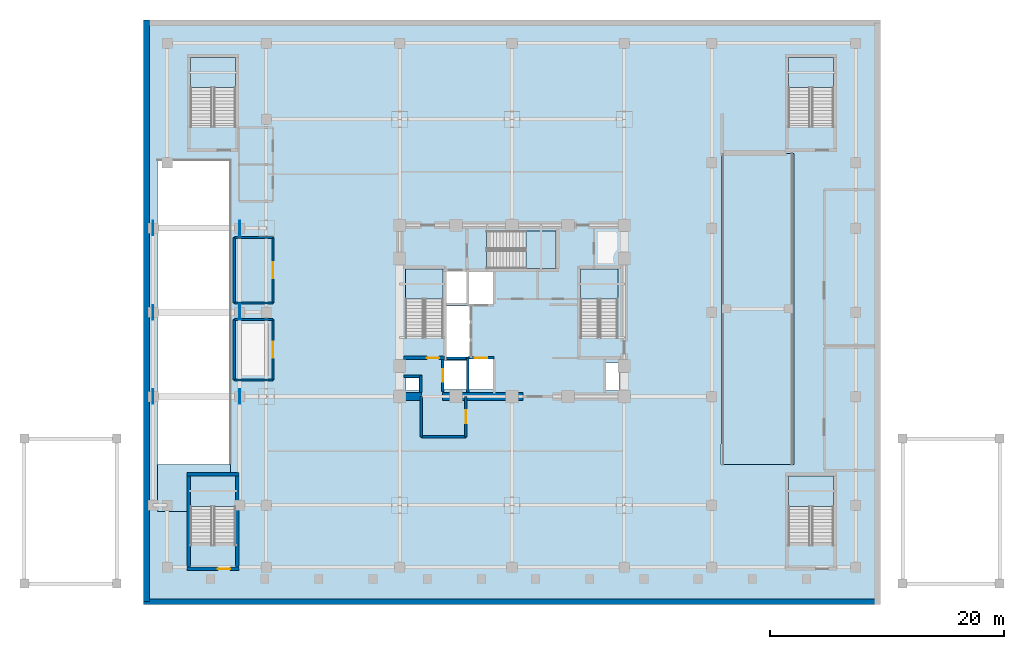
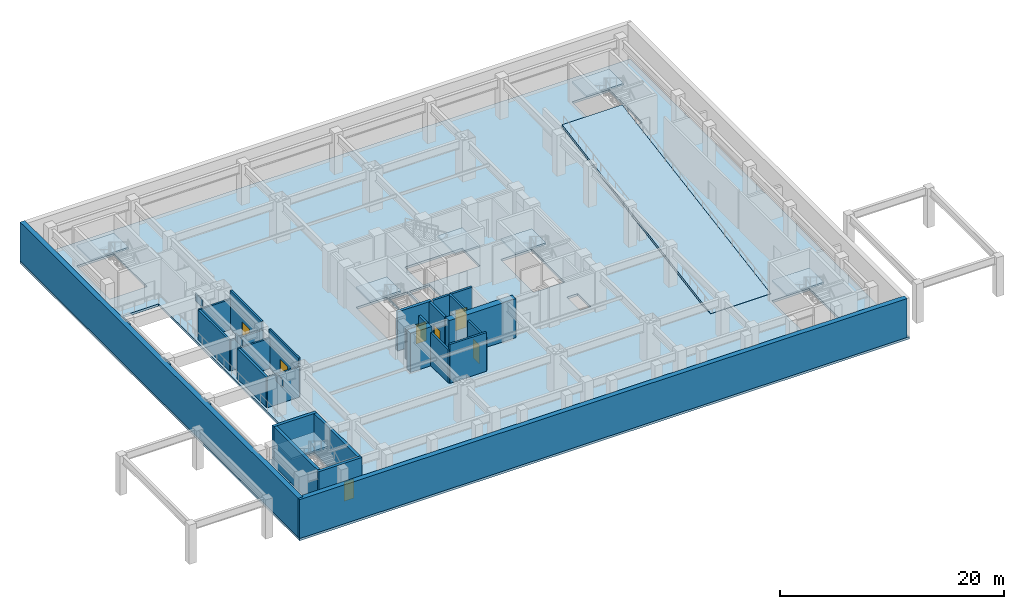
# One storey, part 3 of 12: 26 walls, 10 slabs, 7 doors, 6 plates, 7 openings, 7 elements without a shape of their own.
"""IFC4 building model written with IfcOpenShell, lengths in metres."""

from ifc_helpers import new_model, si_unit, direction, frame, frame_2d, origin, origin_2d, place, context, subcontext, project, spatial, polyline, rectangle, outline, extrude, material, layer, layer_set, type_object, element, fill, aggregate, save


model = new_model("IFC4")

# Units and contexts
model_context = context("Model", 3, precision=1e-05, world=origin(), true_north=direction((0.0, 1.0)))
body_context = subcontext(model_context, "Body", "Model", "MODEL_VIEW")
ifc_project = project(units=[si_unit("LENGTHUNIT", "METRE"), si_unit("AREAUNIT", "SQUARE_METRE"), si_unit("VOLUMEUNIT", "CUBIC_METRE"), si_unit("PLANEANGLEUNIT", "RADIAN"), si_unit("MASSUNIT", "GRAM", prefix="KILO")], contexts=[model_context])

# Site, building, storey
site_placement = place(None, origin())
site = spatial("IfcSite", under=ifc_project, at=site_placement, CompositionType="ELEMENT")
building_placement = place(site_placement, origin())
building = spatial("IfcBuilding", under=site, at=building_placement, Name="Vantalir Tower", CompositionType="ELEMENT")
storey_placement = place(building_placement, frame((0.0, 0.0, -4.5)))
storey = spatial("IfcBuildingStorey", under=building, at=storey_placement, Name="B01", CompositionType="ELEMENT", Elevation=-4.5)

# Plates
ifc_material_1 = material(Name="Steel S460", Category="steel")
ifc_layer_1 = layer(ifc_material_1, 0.050048828125)
ifc_layer_set_1 = layer_set([ifc_layer_1], Name="Steel S460")
plate_type = type_object("IfcPlateType", Name="PLT-TN-01", PredefinedType="USERDEFINED", material=ifc_layer_set_1)
for number, where, z_axis, x_axis, name in (
    (1, (0.784912109375, 17.800048828125, 3.23974609375), (0.0, 0.0, 1.0), (1.0, 0.0, 0.0), "B01 Transfer Girder End Cap 02S"),
    (2, (8.215087890625, 17.800048828125, 3.23974609375), (0.0, 0.0, 1.0), (1.0, 0.0, 0.0), "B01 Transfer Girder End Cap 02E"),
    (3, (0.784912109375, 25.0, 3.23974609375), (0.0, 0.0, 1.0), (1.0, 0.0, 0.0), "B01 Transfer Girder End Cap 03S"),
    (4, (8.215087890625, 25.0, 3.23974609375), (0.0, 0.0, 1.0), (1.0, 0.0, 0.0), "B01 Transfer Girder End Cap 03E"),
    (5, (0.784912109375, 32.199951171875, 3.23974609375), (0.0, 0.0, 1.0), (1.0, 0.0, 0.0), "B01 Transfer Girder End Cap 04S"),
    (6, (8.215087890625, 32.199951171875, 3.23974609375), (0.0, 0.0, 1.0), (1.0, 0.0, 0.0), "B01 Transfer Girder End Cap 04E"),
):
    element("IfcPlate", number, at=place(storey_placement, frame(where, z_axis=z_axis, x_axis=x_axis)), inside=storey, type_object=plate_type, Name=name, ObjectType="FLANGE_PLATE", PredefinedType="USERDEFINED", context=body_context, shape_type="SweptSolid", body=[
        extrude(rectangle(XDim=0.050048828125, YDim=1.25, at=origin_2d()), origin(), (0.0, 0.0, 1.0), 0.820068359375),
    ])

# Slabs
ifc_material_2 = material(Name="Concrete C50/60", Category="concrete")
ifc_layer_2 = layer(ifc_material_2, 0.25)
ifc_layer_set_2 = layer_set([ifc_layer_2], Name="Concrete C50/60")
slab_type_1 = type_object("IfcSlabType", Name="SL-BSMT-250", PredefinedType="FLOOR", material=ifc_layer_set_2)
slab_1_placement = place(storey_placement, frame((0.0, 0.0, -0.25)))
element("IfcSlab", 7, at=slab_1_placement, inside=storey, type_object=slab_type_1, Name="B01 Primary Structural Slab", PredefinedType="FLOOR", context=body_context, shape_type="SweptSolid", body=[
    extrude(outline(polyline([(63.0, 0.0), (63.0, 50.0), (0.0, 50.0), (0.0, 0.0), (63.0, 0.0)]), holes=[polyline([(22.39990234375, 22.7900390625), (22.39990234375, 28.699951171875), (25.60009765625, 28.699951171875), (25.60009765625, 22.7900390625), (22.39990234375, 22.7900390625)]), polyline([(37.35009765625, 28.699951171875), (40.550048828125, 28.699951171875), (40.550048828125, 22.7900390625), (37.35009765625, 22.7900390625), (37.35009765625, 28.699951171875)]), polyline([(35.25, 28.75), (29.340087890625, 28.75), (29.340087890625, 31.949951171875), (35.25, 31.949951171875), (35.25, 28.75)]), polyline([(7.85009765625, 40.85009765625), (4.0, 40.85009765625), (4.0, 46.800048828125), (7.85009765625, 46.800048828125), (7.85009765625, 40.85009765625)]), polyline([(55.14990234375, 40.85009765625), (55.14990234375, 46.800048828125), (59.0, 46.800048828125), (59.0, 40.85009765625), (55.14990234375, 40.85009765625)]), polyline([(7.39990234375, 11.0), (7.85009765625, 11.0), (7.85009765625, 5.050048828125), (4.0, 5.050048828125), (4.0, 8.0), (1.199951171875, 8.0), (1.199951171875, 38.0), (7.39990234375, 38.0), (7.39990234375, 11.0)]), polyline([(59.0, 11.0), (59.0, 5.050048828125), (55.14990234375, 5.050048828125), (55.14990234375, 11.0), (59.0, 11.0)]), polyline([(27.60009765625, 18.39990234375), (25.699951171875, 18.39990234375), (25.699951171875, 20.89990234375), (27.60009765625, 20.89990234375), (27.60009765625, 18.39990234375)]), polyline([(25.699951171875, 25.800048828125), (25.699951171875, 28.5), (27.60009765625, 28.5), (27.60009765625, 25.800048828125), (25.699951171875, 25.800048828125)]), polyline([(27.800048828125, 21.0), (29.89990234375, 21.0), (29.89990234375, 18.39990234375), (27.800048828125, 18.39990234375), (27.800048828125, 21.0)]), polyline([(29.89990234375, 28.5), (29.89990234375, 25.699951171875), (27.800048828125, 25.699951171875), (27.800048828125, 28.5), (29.89990234375, 28.5)]), polyline([(27.89990234375, 21.199951171875), (25.889892578125, 21.199951171875), (25.889892578125, 25.56005859375), (27.89990234375, 25.56005859375), (27.89990234375, 21.199951171875)]), polyline([(49.3798828125, 13.719970703125), (55.6201171875, 13.719970703125), (55.6201171875, 11.97998046875), (49.3798828125, 11.97998046875), (49.3798828125, 13.719970703125)]), polyline([(23.550048828125, 19.39990234375), (23.550048828125, 18.300048828125), (22.449951171875, 18.300048828125), (22.449951171875, 19.39990234375), (23.550048828125, 19.39990234375)]), polyline([(40.64990234375, 18.300048828125), (39.550048828125, 18.300048828125), (39.550048828125, 20.64990234375), (40.64990234375, 20.64990234375), (40.64990234375, 18.300048828125)])]), origin(), (0.0, 0.0, 1.0), 0.25),
])
slab_2_placement = place(storey_placement, frame((0.0, 0.0, -0.25)))
element("IfcSlab", 8, at=slab_2_placement, inside=storey, type_object=slab_type_1, Name="B01 Car Park Ramp VR2 Arrival Apron Slab", PredefinedType="FLOOR", context=body_context, shape_type="SweptSolid", body=[
    extrude(outline(polyline([(3.840087890625, 11.2900390625), (7.419921875, 11.2900390625), (7.419921875, 11.9951171875), (1.179931640625, 11.9951171875), (1.179931640625, 11.320068359375), (1.179931640625, 11.2900390625), (1.179931640625, 7.97998046875), (3.840087890625, 7.97998046875), (3.840087890625, 11.2900390625)])), origin(), (0.0, 0.0, 1.0), 0.25),
])

# Stair, slab
ifc_material_3 = material(Name="Concrete C40/50", Category="concrete")
stair_type_1 = type_object("IfcStairType", Name="STR-CORE-1450", PredefinedType="HALF_TURN_STAIR", material=ifc_material_3)
stair_1_placement = place(storey_placement, origin())
stair_1 = element("IfcStair", 9, at=stair_1_placement, inside=storey, type_object=stair_type_1, Name="B01 Core Exit Stair 1", PredefinedType="HALF_TURN_STAIR")
ifc_layer_3 = layer(ifc_material_3, 0.199951171875)
ifc_layer_set_3 = layer_set([ifc_layer_3], Name="Concrete C40/50")
slab_type_2 = type_object("IfcSlabType", Name="SL-LAND-200", PredefinedType="LANDING", material=ifc_layer_set_3)
slab_3_placement = place(storey_placement, frame((0.0, 0.0, 2.050048828125)))
slab_3 = element("IfcSlab", 10, at=slab_3_placement, type_object=slab_type_2, Name="ST1 landing 1", PredefinedType="LANDING", context=body_context, shape_type="SweptSolid", body=[
    extrude(outline(polyline([(25.60009765625, 26.14990234375), (25.60009765625, 28.699951171875), (22.39990234375, 28.699951171875), (22.39990234375, 26.14990234375), (25.60009765625, 26.14990234375)])), origin(), (0.0, 0.0, 1.0), 0.199951171875),
])
aggregate(stair_1, [slab_3])

stair_2_placement = place(storey_placement, origin())
stair_2 = element("IfcStair", 11, at=stair_2_placement, inside=storey, type_object=stair_type_1, Name="B01 Core Exit Stair 2", PredefinedType="HALF_TURN_STAIR")
slab_4_placement = place(storey_placement, frame((0.0, 0.0, 2.050048828125)))
slab_4 = element("IfcSlab", 12, at=slab_4_placement, type_object=slab_type_2, Name="ST2 landing 1", PredefinedType="LANDING", context=body_context, shape_type="SweptSolid", body=[
    extrude(outline(polyline([(40.550048828125, 26.14990234375), (40.550048828125, 28.699951171875), (37.35009765625, 28.699951171875), (37.35009765625, 26.14990234375), (40.550048828125, 26.14990234375)])), origin(), (0.0, 0.0, 1.0), 0.199951171875),
])
aggregate(stair_2, [slab_4])

stair_3_placement = place(storey_placement, origin())
stair_3 = element("IfcStair", 13, at=stair_3_placement, inside=storey, type_object=stair_type_1, Name="B01 Core Exit Stair 3", PredefinedType="HALF_TURN_STAIR")
slab_5_placement = place(storey_placement, frame((0.0, 0.0, 2.050048828125)))
slab_5 = element("IfcSlab", 14, at=slab_5_placement, type_object=slab_type_2, Name="ST3 landing 1", PredefinedType="LANDING", context=body_context, shape_type="SweptSolid", body=[
    extrude(outline(polyline([(32.699951171875, 28.75), (35.25, 28.75), (35.25, 31.949951171875), (32.699951171875, 31.949951171875), (32.699951171875, 28.75)])), origin(), (0.0, 0.0, 1.0), 0.199951171875),
])
aggregate(stair_3, [slab_5])

stair_type_2 = type_object("IfcStairType", Name="STR-POD-1550", PredefinedType="HALF_TURN_STAIR", material=ifc_material_3)
stair_4_placement = place(storey_placement, origin())
stair_4 = element("IfcStair", 15, at=stair_4_placement, inside=storey, type_object=stair_type_2, Name="B01 Podium Exit Stair 1", PredefinedType="HALF_TURN_STAIR")
slab_6_placement = place(storey_placement, frame((0.0, 0.0, 2.050048828125)))
slab_6 = element("IfcSlab", 16, at=slab_6_placement, type_object=slab_type_2, Name="PST1 landing 1", PredefinedType="LANDING", context=body_context, shape_type="SweptSolid", body=[
    extrude(outline(polyline([(7.85009765625, 44.2099609375), (7.85009765625, 46.800048828125), (4.0, 46.800048828125), (4.0, 44.2099609375), (7.85009765625, 44.2099609375)])), origin(), (0.0, 0.0, 1.0), 0.199951171875),
])
aggregate(stair_4, [slab_6])

stair_5_placement = place(storey_placement, origin())
stair_5 = element("IfcStair", 17, at=stair_5_placement, inside=storey, type_object=stair_type_2, Name="B01 Podium Exit Stair 2", PredefinedType="HALF_TURN_STAIR")
slab_7_placement = place(storey_placement, frame((0.0, 0.0, 2.050048828125)))
slab_7 = element("IfcSlab", 18, at=slab_7_placement, type_object=slab_type_2, Name="PST2 landing 1", PredefinedType="LANDING", context=body_context, shape_type="SweptSolid", body=[
    extrude(outline(polyline([(59.0, 44.2099609375), (59.0, 46.800048828125), (55.14990234375, 46.800048828125), (55.14990234375, 44.2099609375), (59.0, 44.2099609375)])), origin(), (0.0, 0.0, 1.0), 0.199951171875),
])
aggregate(stair_5, [slab_7])

stair_6_placement = place(storey_placement, origin())
stair_6 = element("IfcStair", 19, at=stair_6_placement, inside=storey, type_object=stair_type_2, Name="B01 Podium Exit Stair 3", PredefinedType="HALF_TURN_STAIR")
slab_8_placement = place(storey_placement, frame((0.0, 0.0, 2.050048828125)))
slab_8 = element("IfcSlab", 20, at=slab_8_placement, type_object=slab_type_2, Name="PST3 landing 1", PredefinedType="LANDING", context=body_context, shape_type="SweptSolid", body=[
    extrude(outline(polyline([(7.85009765625, 8.409912109375), (7.85009765625, 11.0), (4.0, 11.0), (4.0, 8.409912109375), (7.85009765625, 8.409912109375)])), origin(), (0.0, 0.0, 1.0), 0.199951171875),
])
aggregate(stair_6, [slab_8])

stair_7_placement = place(storey_placement, origin())
stair_7 = element("IfcStair", 21, at=stair_7_placement, inside=storey, type_object=stair_type_2, Name="B01 Podium Exit Stair 4", PredefinedType="HALF_TURN_STAIR")
slab_9_placement = place(storey_placement, frame((0.0, 0.0, 2.050048828125)))
slab_9 = element("IfcSlab", 22, at=slab_9_placement, type_object=slab_type_2, Name="PST4 landing 1", PredefinedType="LANDING", context=body_context, shape_type="SweptSolid", body=[
    extrude(outline(polyline([(59.0, 8.409912109375), (59.0, 11.0), (55.14990234375, 11.0), (55.14990234375, 8.409912109375), (59.0, 8.409912109375)])), origin(), (0.0, 0.0, 1.0), 0.199951171875),
])
aggregate(stair_7, [slab_9])

# Slab
ifc_layer_4 = layer(ifc_material_3, 0.280029296875)
ifc_layer_set_4 = layer_set([ifc_layer_4], Name="Concrete C40/50")
slab_type_3 = type_object("IfcSlabType", Name="SLB-VEHRAMP-280", PredefinedType="USERDEFINED", material=ifc_layer_set_4)
slab_10_placement = place(storey_placement, frame((52.5, 12.0009765625, 0.0), z_axis=(0.0, 0.0, 1.0), x_axis=(0.0, 1.0, 0.0)))
element("IfcSlab", 23, at=slab_10_placement, inside=storey, type_object=slab_type_3, Name="Car Park Vehicle Ramp Slab VR-1 B01 to L00", ObjectType="VEHICLE RAMP SLAB", PredefinedType="USERDEFINED", context=body_context, shape_type="SweptSolid", body=[
    extrude(outline(polyline([(0.0, -0.280029296875), (0.0, 0.0), (26.59814453125, 4.5), (26.59814453125, 4.219970703125), (0.0, -0.280029296875)])), frame((0.0, 3.10009765625, 0.0), z_axis=(0.0, -1.0, 0.0), x_axis=(1.0, 0.0, 0.0)), (0.0, 0.0, 1.0), 6.199951171875),
])

# Walls
ifc_layer_5 = layer(ifc_material_2, 0.5)
ifc_layer_set_5 = layer_set([ifc_layer_5], Name="Concrete C50/60")
wall_type_1 = type_object("IfcWallType", Name="WL-BSMT-500", PredefinedType="SOLIDWALL", material=ifc_layer_set_5)
wall_1_placement = place(storey_placement, frame((0.0, 0.25, 0.0), z_axis=(0.0, 0.0, 1.0), x_axis=(1.0, 0.0, 0.0)))
element("IfcWall", 24, at=wall_1_placement, inside=storey, type_object=wall_type_1, Name="B01 Perimeter Retaining Wall S", PredefinedType="SOLIDWALL", context=body_context, shape_type="SweptSolid", body=[
    extrude(rectangle(XDim=62.75, YDim=0.5, at=frame_2d((31.375, 0.0))), origin(), (0.0, 0.0, 1.0), 4.25),
])
wall_2_placement = place(storey_placement, frame((0.25, 50.0, 0.0), z_axis=(0.0, 0.0, 1.0), x_axis=(0.0, -1.0, 0.0)))
element("IfcWall", 25, at=wall_2_placement, inside=storey, type_object=wall_type_1, Name="B01 Perimeter Retaining Wall W", PredefinedType="SOLIDWALL", context=body_context, shape_type="SweptSolid", body=[
    extrude(rectangle(XDim=49.75, YDim=0.5, at=frame_2d((24.875, 0.0))), origin(), (0.0, 0.0, 1.0), 4.25),
])
ifc_material_4 = material(Name="Concrete C60/75", Category="concrete")
ifc_layer_6 = layer(ifc_material_4, 0.64990234375)
ifc_layer_set_6 = layer_set([ifc_layer_6], Name="Concrete C60/75")
wall_type_2 = type_object("IfcWallType", Name="WL-CORE-650", PredefinedType="SHEAR", material=ifc_layer_set_6)
wall_3_placement = place(storey_placement, frame((21.574951171875, 17.800048828125, 0.0), z_axis=(0.0, 0.0, 1.0), x_axis=(1.0, 0.0, 0.0)))
element("IfcWall", 26, at=wall_3_placement, inside=storey, type_object=wall_type_2, Name="B01 Core Shear Wall South-West", PredefinedType="SHEAR", context=body_context, shape_type="SweptSolid", body=[
    extrude(rectangle(XDim=2.175048828125, YDim=0.64990234375, at=frame_2d((1.08740234375, 0.0))), origin(), (0.0, 0.0, 1.0), 4.25),
])
wall_4_placement = place(storey_placement, frame((25.550048828125, 17.800048828125, 0.0), z_axis=(0.0, 0.0, 1.0), x_axis=(1.0, 0.0, 0.0)))
element("IfcWall", 27, at=wall_4_placement, inside=storey, type_object=wall_type_2, Name="B01 Core Shear Wall South-Mid", PredefinedType="SHEAR", context=body_context, shape_type="SweptSolid", body=[
    extrude(rectangle(XDim=6.89990234375, YDim=0.64990234375, at=frame_2d((3.449951171875, 0.0))), origin(), (0.0, 0.0, 1.0), 4.25),
])
ifc_material_5 = material(Name="Concrete blockwork with fireboard lining", Category="masonry")
ifc_layer_7 = layer(ifc_material_5, 0.219970703125)
ifc_layer_set_7 = layer_set([ifc_layer_7], Name="Concrete blockwork with fireboard lining")
wall_type_3 = type_object("IfcWallType", Name="WL-FFL-220", PredefinedType="PARTITIONING", material=ifc_layer_set_7)
wall_5_placement = place(storey_placement, frame((23.679931640625, 18.125, 0.0), z_axis=(0.0, 0.0, 1.0), x_axis=(0.0, 1.0, 0.0)))
element("IfcWall", 28, at=wall_5_placement, inside=storey, type_object=wall_type_3, Name="B01 West MEP Riser Wall E", PredefinedType="PARTITIONING", context=body_context, shape_type="SweptSolid", body=[
    extrude(rectangle(XDim=1.425048828125, YDim=0.219970703125, at=frame_2d((0.71240234375, 0.0))), origin(), (0.0, 0.0, 1.0), 4.22998046875),
])
wall_6_placement = place(storey_placement, frame((22.22509765625, 19.550048828125, 0.0), z_axis=(0.0, 0.0, 1.0), x_axis=(1.0, 0.0, 0.0)))
element("IfcWall", 29, at=wall_6_placement, inside=storey, type_object=wall_type_3, Name="B01 West MEP Riser Wall N", PredefinedType="PARTITIONING", context=body_context, shape_type="SweptSolid", body=[
    extrude(rectangle(XDim=1.56494140625, YDim=0.219970703125, at=frame_2d((0.782470703125, 0.0))), origin(), (0.0, 0.0, 1.0), 3.27490234375),
])

# Wall, opening, door
wall_7_placement = place(storey_placement, frame((25.590087890625, 18.219970703125, 0.0), z_axis=(0.0, 0.0, 1.0), x_axis=(0.0, 1.0, 0.0)))
wall_7 = element("IfcWall", 30, at=wall_7_placement, inside=storey, type_object=wall_type_3, Name="B01 Lift FL1 Shaft Front Wall", PredefinedType="PARTITIONING", context=body_context, shape_type="SweptSolid", body=[
    extrude(rectangle(XDim=2.760009765625, YDim=0.219970703125, at=frame_2d((1.3798828125, 0.0))), origin(), (0.0, 0.0, 1.0), 4.22998046875),
])
opening_1_placement = place(wall_7_placement, frame((0.830078125, 0.0, 0.0)))
opening_1 = element("IfcOpeningElement", 31, at=opening_1_placement, cuts=wall_7, Name="Opening LD-FL1", PredefinedType="OPENING", context=body_context, shape_type="SweptSolid", body=[
    extrude(rectangle(XDim=1.10009765625, YDim=2.199951171875, at=frame_2d((0.550048828125, 1.10009765625))), frame((0.0, 0.119873046875, 0.0), z_axis=(0.0, -1.0, 0.0), x_axis=(1.0, 0.0, 0.0)), (0.0, 0.0, 1.0), 0.239990234375),
])
ifc_material_6 = material(Name="Brushed stainless-steel sliding lift landing door", Category="steel")
door_type_1 = type_object("IfcDoorType", Name="DR-LIFT-LANDING-1100", OperationType="DOUBLE_DOOR_SLIDING", PredefinedType="DOOR", material=ifc_material_6)
door_1_placement = place(opening_1_placement, origin())
door_1 = element("IfcDoor", 32, at=door_1_placement, inside=storey, type_object=door_type_1, Name="B01 Lift Landing Door FL1", OperationType="DOUBLE_DOOR_SLIDING", OverallHeight=2.199951171875, OverallWidth=1.10009765625, PredefinedType="DOOR", context=body_context, shape_type="SweptSolid", body=[
    extrude(rectangle(XDim=1.10009765625, YDim=2.199951171875, at=frame_2d((0.550048828125, 1.10009765625))), frame((0.0, 0.02490234375, 0.0), z_axis=(0.0, -1.0, 0.0), x_axis=(1.0, 0.0, 0.0)), (0.0, 0.0, 1.0), 0.050048828125),
])
fill(opening_1, door_1)

wall_8_placement = place(storey_placement, frame((27.739990234375, 21.110107421875, 0.0), z_axis=(0.0, 0.0, 1.0), x_axis=(1.0, 0.0, 0.0)))
wall_8 = element("IfcWall", 33, at=wall_8_placement, inside=storey, type_object=wall_type_3, Name="B01 Lift SV1 Shaft Front Wall", PredefinedType="PARTITIONING", context=body_context, shape_type="SweptSolid", body=[
    extrude(rectangle(XDim=2.219970703125, YDim=0.219970703125, at=frame_2d((1.10986328125, 0.0))), origin(), (0.0, 0.0, 1.0), 4.22998046875),
])
opening_2_placement = place(wall_8_placement, frame((0.56005859375, 0.0, 0.0)))
opening_2 = element("IfcOpeningElement", 34, at=opening_2_placement, cuts=wall_8, Name="Opening LD-SV1", PredefinedType="OPENING", context=body_context, shape_type="SweptSolid", body=[
    extrude(rectangle(XDim=1.10009765625, YDim=2.199951171875, at=frame_2d((0.550048828125, 1.10009765625))), frame((0.0, 0.119873046875, 0.0), z_axis=(0.0, -1.0, 0.0), x_axis=(1.0, 0.0, 0.0)), (0.0, 0.0, 1.0), 0.239990234375),
])
door_2_placement = place(opening_2_placement, origin())
door_2 = element("IfcDoor", 35, at=door_2_placement, inside=storey, type_object=door_type_1, Name="B01 Lift Landing Door SV1", OperationType="DOUBLE_DOOR_SLIDING", OverallHeight=2.199951171875, OverallWidth=1.10009765625, PredefinedType="DOOR", context=body_context, shape_type="SweptSolid", body=[
    extrude(rectangle(XDim=1.10009765625, YDim=2.199951171875, at=frame_2d((0.550048828125, 1.10009765625))), frame((0.0, 0.02490234375, 0.0), z_axis=(0.0, -1.0, 0.0), x_axis=(1.0, 0.0, 0.0)), (0.0, 0.0, 1.0), 0.050048828125),
])
fill(opening_2, door_2)

# Walls
wall_9_placement = place(storey_placement, frame((27.699951171875, 18.14990234375, 0.0), z_axis=(0.0, 0.0, 1.0), x_axis=(0.0, 1.0, 0.0)))
element("IfcWall", 36, at=wall_9_placement, inside=storey, type_object=wall_type_3, Name="B01 Fire Lift FL1 Dividing Wall", PredefinedType="PARTITIONING", context=body_context, shape_type="SweptSolid", body=[
    extrude(rectangle(XDim=2.9501953125, YDim=0.219970703125, at=frame_2d((1.47509765625, 0.0))), origin(), (0.0, 0.0, 1.0), 4.22998046875),
])
wall_10_placement = place(storey_placement, frame((25.8798828125, 21.080078125, 0.0), z_axis=(0.0, 0.0, 1.0), x_axis=(1.0, 0.0, 0.0)))
element("IfcWall", 37, at=wall_10_placement, inside=storey, type_object=wall_type_3, Name="B01 Low-Rise Bank South Wall", PredefinedType="PARTITIONING", context=body_context, shape_type="SweptSolid", body=[
    extrude(rectangle(XDim=1.7001953125, YDim=0.219970703125, at=frame_2d((0.85009765625, 0.0))), origin(), (0.0, 0.0, 1.0), 4.22998046875),
])
wall_11_placement = place(storey_placement, frame((23.75, 14.35009765625, 0.0), z_axis=(0.0, 0.0, 1.0), x_axis=(0.0, 1.0, 0.0)))
element("IfcWall", 38, at=wall_11_placement, inside=storey, type_object=wall_type_3, Name="B01 Firefighting Lobby West Outer W", PredefinedType="PARTITIONING", context=body_context, shape_type="SweptSolid", body=[
    extrude(rectangle(XDim=3.449951171875, YDim=0.219970703125, at=frame_2d((1.72509765625, 0.0))), origin(), (0.0, 0.0, 1.0), 3.60791015625),
])
wall_12_placement = place(storey_placement, frame((23.75, 14.35009765625, 0.0), z_axis=(0.0, 0.0, 1.0), x_axis=(1.0, 0.0, 0.0)))
element("IfcWall", 39, at=wall_12_placement, inside=storey, type_object=wall_type_3, Name="B01 Firefighting Lobby West South Wall", PredefinedType="PARTITIONING", context=body_context, shape_type="SweptSolid", body=[
    extrude(rectangle(XDim=3.800048828125, YDim=0.219970703125, at=frame_2d((1.89990234375, 0.0))), origin(), (0.0, 0.0, 1.0), 4.22998046875),
])

# Wall, opening, door
wall_13_placement = place(storey_placement, frame((27.550048828125, 14.35009765625, 0.0), z_axis=(0.0, 0.0, 1.0), x_axis=(0.0, 1.0, 0.0)))
wall_13 = element("IfcWall", 40, at=wall_13_placement, inside=storey, type_object=wall_type_3, Name="B01 Firefighting Lobby West East Wall", PredefinedType="PARTITIONING", context=body_context, shape_type="SweptSolid", body=[
    extrude(rectangle(XDim=3.449951171875, YDim=0.219970703125, at=frame_2d((1.72509765625, 0.0))), origin(), (0.0, 0.0, 1.0), 3.60791015625),
])
opening_3_placement = place(wall_13_placement, frame((1.175048828125, 0.0, 0.0)))
opening_3 = element("IfcOpeningElement", 41, at=opening_3_placement, cuts=wall_13, Name="Opening D-FFL", PredefinedType="OPENING", context=body_context, shape_type="SweptSolid", body=[
    extrude(rectangle(XDim=1.10009765625, YDim=2.10009765625, at=frame_2d((0.550048828125, 1.050048828125))), frame((0.0, 0.119873046875, 0.0), z_axis=(0.0, -1.0, 0.0), x_axis=(1.0, 0.0, 0.0)), (0.0, 0.0, 1.0), 0.239990234375),
])
ifc_material_7 = material(Name="Fire-rated acoustic steel door", Category="steel")
door_type_2 = type_object("IfcDoorType", Name="DR-FIRE-LOBBY-1100", OperationType="NOTDEFINED", PredefinedType="DOOR", material=ifc_material_7)
door_3_placement = place(opening_3_placement, origin())
door_3 = element("IfcDoor", 42, at=door_3_placement, inside=storey, type_object=door_type_2, Name="B01 Firefighting Lobby West Access Door", OperationType="SINGLE_SWING_RIGHT", OverallHeight=2.10009765625, OverallWidth=1.10009765625, PredefinedType="DOOR", context=body_context, shape_type="SweptSolid", body=[
    extrude(rectangle(XDim=1.10009765625, YDim=2.10009765625, at=frame_2d((0.550048828125, 1.050048828125))), frame((0.0, 0.02490234375, 0.0), z_axis=(0.0, -1.0, 0.0), x_axis=(1.0, 0.0, 0.0)), (0.0, 0.0, 1.0), 0.050048828125),
])
fill(opening_3, door_3)

# Walls
wall_14_placement = place(storey_placement, frame((7.75, 19.199951171875, 0.0), z_axis=(0.0, 0.0, 1.0), x_axis=(0.0, 1.0, 0.0)))
element("IfcWall", 43, at=wall_14_placement, inside=storey, type_object=wall_type_3, Name="B01 Commercial Hotel Laundry Ramp Guard Wall", PredefinedType="PARTITIONING", context=body_context, shape_type="SweptSolid", body=[
    extrude(rectangle(XDim=5.199951171875, YDim=0.219970703125, at=frame_2d((2.60009765625, 0.0))), origin(), (0.0, 0.0, 1.0), 3.298095703125),
])
wall_15_placement = place(storey_placement, frame((7.75, 25.800048828125, 0.0), z_axis=(0.0, 0.0, 1.0), x_axis=(0.0, 1.0, 0.0)))
element("IfcWall", 44, at=wall_15_placement, inside=storey, type_object=wall_type_3, Name="B01 Central Housekeeping Store Ramp Guard Wall", PredefinedType="PARTITIONING", context=body_context, shape_type="SweptSolid", body=[
    extrude(rectangle(XDim=5.599853515625, YDim=0.219970703125, at=frame_2d((2.7998046875, 0.0))), origin(), (0.0, 0.0, 1.0), 3.298095703125),
])

# Wall, opening, door
ifc_material_8 = material(Name="Twin-stud acoustic fire-rated gypsum partition", Category="gypsum")
ifc_layer_8 = layer(ifc_material_8, 0.179931640625)
ifc_layer_set_8 = layer_set([ifc_layer_8], Name="Twin-stud acoustic fire-rated gypsum partition")
wall_type_4 = type_object("IfcWallType", Name="WL-GUEST-180", PredefinedType="PARTITIONING", material=ifc_layer_set_8)
wall_16_placement = place(storey_placement, frame((11.050048828125, 19.199951171875, 0.0), z_axis=(0.0, 0.0, 1.0), x_axis=(0.0, 1.0, 0.0)))
wall_16 = element("IfcWall", 45, at=wall_16_placement, inside=storey, type_object=wall_type_4, Name="B01 Commercial Hotel Laundry East Wall", PredefinedType="PARTITIONING", context=body_context, shape_type="SweptSolid", body=[
    extrude(rectangle(XDim=5.199951171875, YDim=0.179931640625, at=frame_2d((2.60009765625, 0.0))), origin(), (0.0, 0.0, 1.0), 4.22998046875),
])
opening_4_placement = place(wall_16_placement, frame((1.89990234375, 0.0, 0.0)))
opening_4 = element("IfcOpeningElement", 46, at=opening_4_placement, cuts=wall_16, Name="Opening D-PLANT", PredefinedType="OPENING", context=body_context, shape_type="SweptSolid", body=[
    extrude(rectangle(XDim=1.39990234375, YDim=2.10009765625, at=frame_2d((0.699951171875, 1.050048828125))), frame((0.0, 0.099853515625, 0.0), z_axis=(0.0, -1.0, 0.0), x_axis=(1.0, 0.0, 0.0)), (0.0, 0.0, 1.0), 0.199951171875),
])
ifc_material_9 = material(Name="Louvred fire-rated steel plant double door", Category="steel")
door_type_3 = type_object("IfcDoorType", Name="DR-PLANT-1400", OperationType="DOUBLE_DOOR_SINGLE_SWING", PredefinedType="DOOR", material=ifc_material_9)
door_4_placement = place(opening_4_placement, origin())
door_4 = element("IfcDoor", 47, at=door_4_placement, inside=storey, type_object=door_type_3, Name="B01 Commercial Hotel Laundry Door", OperationType="DOUBLE_DOOR_SINGLE_SWING", OverallHeight=2.10009765625, OverallWidth=1.39990234375, PredefinedType="DOOR", context=body_context, shape_type="SweptSolid", body=[
    extrude(rectangle(XDim=1.39990234375, YDim=2.10009765625, at=frame_2d((0.699951171875, 1.050048828125))), frame((0.0, 0.02490234375, 0.0), z_axis=(0.0, -1.0, 0.0), x_axis=(1.0, 0.0, 0.0)), (0.0, 0.0, 1.0), 0.050048828125),
])
fill(opening_4, door_4)

# Walls
for number, where, z_axis, x_axis, name in (
    (48, (7.75, 19.199951171875, 0.0), (0.0, 0.0, 1.0), (1.0, 0.0, 0.0), "B01 Commercial Hotel Laundry South Wall"),
    (49, (7.75, 24.39990234375, 0.0), (0.0, 0.0, 1.0), (1.0, 0.0, 0.0), "B01 Commercial Hotel Laundry North Wall"),
):
    element("IfcWall", number, at=place(storey_placement, frame(where, z_axis=z_axis, x_axis=x_axis)), inside=storey, type_object=wall_type_4, Name=name, PredefinedType="PARTITIONING", context=body_context, shape_type="SweptSolid", body=[
        extrude(rectangle(XDim=3.300048828125, YDim=0.179931640625, at=frame_2d((1.64990234375, 0.0))), origin(), (0.0, 0.0, 1.0), 3.298095703125),
    ])

# Wall, opening, door
wall_17_placement = place(storey_placement, frame((11.050048828125, 25.800048828125, 0.0), z_axis=(0.0, 0.0, 1.0), x_axis=(0.0, 1.0, 0.0)))
wall_17 = element("IfcWall", 50, at=wall_17_placement, inside=storey, type_object=wall_type_4, Name="B01 Central Housekeeping Store East Wall", PredefinedType="PARTITIONING", context=body_context, shape_type="SweptSolid", body=[
    extrude(rectangle(XDim=5.599853515625, YDim=0.179931640625, at=frame_2d((2.7998046875, 0.0))), origin(), (0.0, 0.0, 1.0), 4.22998046875),
])
opening_5_placement = place(wall_17_placement, frame((2.10009765625, 0.0, 0.0)))
opening_5 = element("IfcOpeningElement", 51, at=opening_5_placement, cuts=wall_17, Name="Opening D-PLANT", PredefinedType="OPENING", context=body_context, shape_type="SweptSolid", body=[
    extrude(rectangle(XDim=1.39990234375, YDim=2.10009765625, at=frame_2d((0.699951171875, 1.050048828125))), frame((0.0, 0.099853515625, 0.0), z_axis=(0.0, -1.0, 0.0), x_axis=(1.0, 0.0, 0.0)), (0.0, 0.0, 1.0), 0.199951171875),
])
door_5_placement = place(opening_5_placement, origin())
door_5 = element("IfcDoor", 52, at=door_5_placement, inside=storey, type_object=door_type_3, Name="B01 Central Housekeeping Store Door", OperationType="DOUBLE_DOOR_SINGLE_SWING", OverallHeight=2.10009765625, OverallWidth=1.39990234375, PredefinedType="DOOR", context=body_context, shape_type="SweptSolid", body=[
    extrude(rectangle(XDim=1.39990234375, YDim=2.10009765625, at=frame_2d((0.699951171875, 1.050048828125))), frame((0.0, 0.02490234375, 0.0), z_axis=(0.0, -1.0, 0.0), x_axis=(1.0, 0.0, 0.0)), (0.0, 0.0, 1.0), 0.050048828125),
])
fill(opening_5, door_5)

# Walls
for number, where, z_axis, x_axis, name in (
    (53, (7.75, 25.800048828125, 0.0), (0.0, 0.0, 1.0), (1.0, 0.0, 0.0), "B01 Central Housekeeping Store South Wall"),
    (54, (7.75, 31.39990234375, 0.0), (0.0, 0.0, 1.0), (1.0, 0.0, 0.0), "B01 Central Housekeeping Store North Wall"),
):
    element("IfcWall", number, at=place(storey_placement, frame(where, z_axis=z_axis, x_axis=x_axis)), inside=storey, type_object=wall_type_4, Name=name, PredefinedType="PARTITIONING", context=body_context, shape_type="SweptSolid", body=[
        extrude(rectangle(XDim=3.300048828125, YDim=0.179931640625, at=frame_2d((1.64990234375, 0.0))), origin(), (0.0, 0.0, 1.0), 3.298095703125),
    ])

# Wall, opening, door
ifc_layer_9 = layer(ifc_material_2, 0.300048828125)
ifc_layer_set_9 = layer_set([ifc_layer_9], Name="Concrete C50/60")
wall_type_5 = type_object("IfcWallType", Name="WL-STAIR-300", PredefinedType="SHEAR", material=ifc_layer_set_9)
wall_18_placement = place(storey_placement, frame((22.22509765625, 21.10009765625, 0.0), z_axis=(0.0, 0.0, 1.0), x_axis=(1.0, 0.0, 0.0)))
wall_18 = element("IfcWall", 55, at=wall_18_placement, inside=storey, type_object=wall_type_5, Name="B01 Stair ST1 South Wall", PredefinedType="SHEAR", context=body_context, shape_type="SweptSolid", body=[
    extrude(rectangle(XDim=3.514892578125, YDim=0.300048828125, at=frame_2d((1.75732421875, 0.0))), origin(), (0.0, 0.0, 1.0), 4.25),
])
opening_6_placement = place(wall_18_placement, frame((1.9951171875, 0.0, 0.0)))
opening_6 = element("IfcOpeningElement", 56, at=opening_6_placement, cuts=wall_18, Name="Opening D-ST", PredefinedType="OPENING", context=body_context, shape_type="SweptSolid", body=[
    extrude(rectangle(XDim=1.050048828125, YDim=2.10009765625, at=frame_2d((0.52490234375, 1.050048828125))), frame((0.0, 0.159912109375, 0.0), z_axis=(0.0, -1.0, 0.0), x_axis=(1.0, 0.0, 0.0)), (0.0, 0.0, 1.0), 0.320068359375),
])
ifc_material_10 = material(Name="Fire-rated steel door leaf", Category="steel")
door_type_4 = type_object("IfcDoorType", Name="DR-FIRE-STAIR-1050", OperationType="NOTDEFINED", PredefinedType="DOOR", material=ifc_material_10)
door_6_placement = place(opening_6_placement, origin())
door_6 = element("IfcDoor", 57, at=door_6_placement, inside=storey, type_object=door_type_4, Name="B01 Exit Stair ST1 Fire Door", OperationType="SINGLE_SWING_RIGHT", OverallHeight=2.10009765625, OverallWidth=1.050048828125, PredefinedType="DOOR", context=body_context, shape_type="SweptSolid", body=[
    extrude(rectangle(XDim=1.050048828125, YDim=2.10009765625, at=frame_2d((0.52490234375, 1.050048828125))), frame((0.0, 0.02490234375, 0.0), z_axis=(0.0, -1.0, 0.0), x_axis=(1.0, 0.0, 0.0)), (0.0, 0.0, 1.0), 0.050048828125),
])
fill(opening_6, door_6)

wall_19_placement = place(storey_placement, frame((3.699951171875, 3.06005859375, 0.0), z_axis=(0.0, 0.0, 1.0), x_axis=(1.0, 0.0, 0.0)))
wall_19 = element("IfcWall", 58, at=wall_19_placement, inside=storey, type_object=wall_type_5, Name="B01 PST3 South Wall", PredefinedType="SHEAR", context=body_context, shape_type="SweptSolid", body=[
    extrude(rectangle(XDim=4.449951171875, YDim=0.300048828125, at=frame_2d((2.22509765625, 0.0))), origin(), (0.0, 0.0, 1.0), 4.25),
])
opening_7_placement = place(wall_19_placement, frame((2.64990234375, 0.0, 0.0)))
opening_7 = element("IfcOpeningElement", 59, at=opening_7_placement, cuts=wall_19, Name="Opening D-ST", PredefinedType="OPENING", context=body_context, shape_type="SweptSolid", body=[
    extrude(rectangle(XDim=1.050048828125, YDim=2.10009765625, at=frame_2d((0.52490234375, 1.050048828125))), frame((0.0, 0.159912109375, 0.0), z_axis=(0.0, -1.0, 0.0), x_axis=(1.0, 0.0, 0.0)), (0.0, 0.0, 1.0), 0.320068359375),
])
door_7_placement = place(opening_7_placement, origin())
door_7 = element("IfcDoor", 60, at=door_7_placement, inside=storey, type_object=door_type_4, Name="B01 Podium Stair PST3 Fire Door", OperationType="SINGLE_SWING_LEFT", OverallHeight=2.10009765625, OverallWidth=1.050048828125, PredefinedType="DOOR", context=body_context, shape_type="SweptSolid", body=[
    extrude(rectangle(XDim=1.050048828125, YDim=2.10009765625, at=frame_2d((0.52490234375, 1.050048828125))), frame((0.0, 0.02490234375, 0.0), z_axis=(0.0, -1.0, 0.0), x_axis=(1.0, 0.0, 0.0)), (0.0, 0.0, 1.0), 0.050048828125),
])
fill(opening_7, door_7)

# Walls
wall_20_placement = place(storey_placement, frame((3.699951171875, 11.139892578125, 0.0), z_axis=(0.0, 0.0, 1.0), x_axis=(1.0, 0.0, 0.0)))
element("IfcWall", 61, at=wall_20_placement, inside=storey, type_object=wall_type_5, Name="B01 PST3 North Wall", PredefinedType="SHEAR", context=body_context, shape_type="SweptSolid", body=[
    extrude(rectangle(XDim=4.449951171875, YDim=0.300048828125, at=frame_2d((2.22509765625, 0.0))), origin(), (0.0, 0.0, 1.0), 4.25),
])
for number, where, z_axis, x_axis, name in (
    (62, (3.860107421875, 3.06005859375, 0.0), (0.0, 0.0, 1.0), (0.0, 1.0, 0.0), "B01 PST3 West Wall"),
    (63, (7.989990234375, 3.06005859375, 0.0), (0.0, 0.0, 1.0), (0.0, 1.0, 0.0), "B01 PST3 East Wall"),
):
    element("IfcWall", number, at=place(storey_placement, frame(where, z_axis=z_axis, x_axis=x_axis)), inside=storey, type_object=wall_type_5, Name=name, PredefinedType="SHEAR", context=body_context, shape_type="SweptSolid", body=[
        extrude(rectangle(XDim=8.079833984375, YDim=0.300048828125, at=frame_2d((4.0400390625, 0.0))), origin(), (0.0, 0.0, 1.0), 4.25),
    ])

save(model, "model.ifc")
